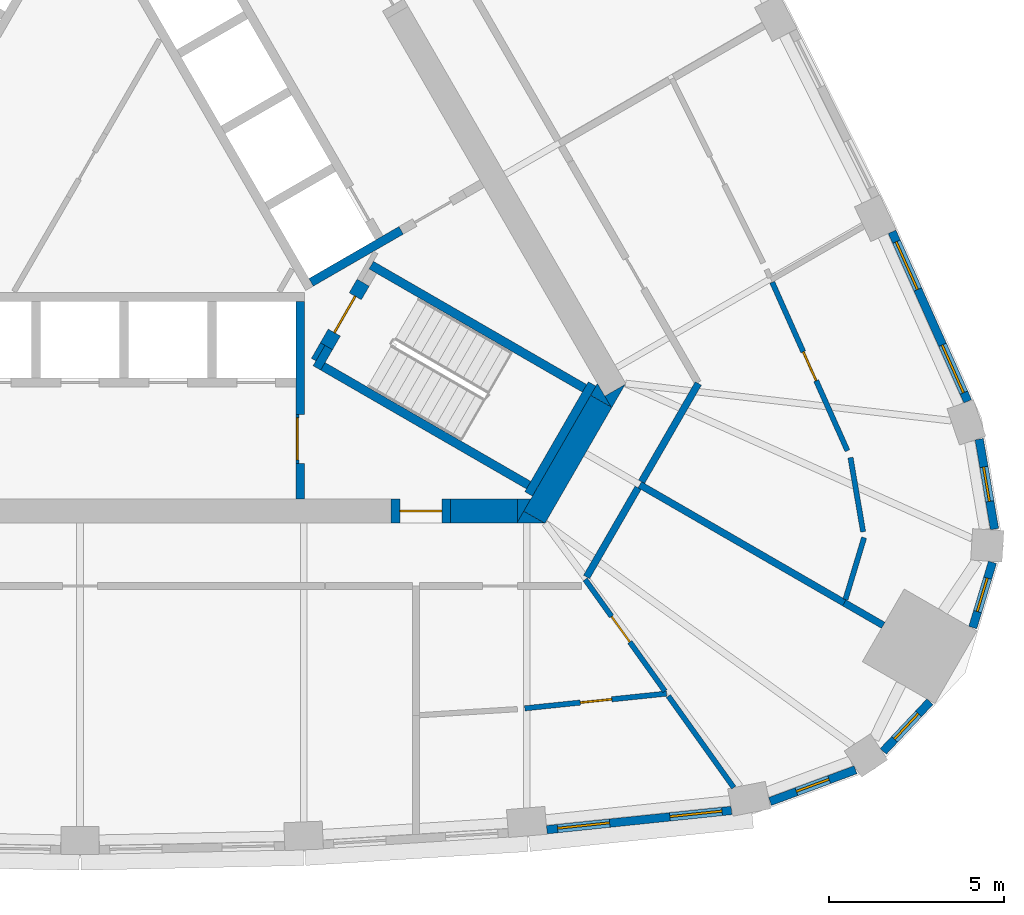
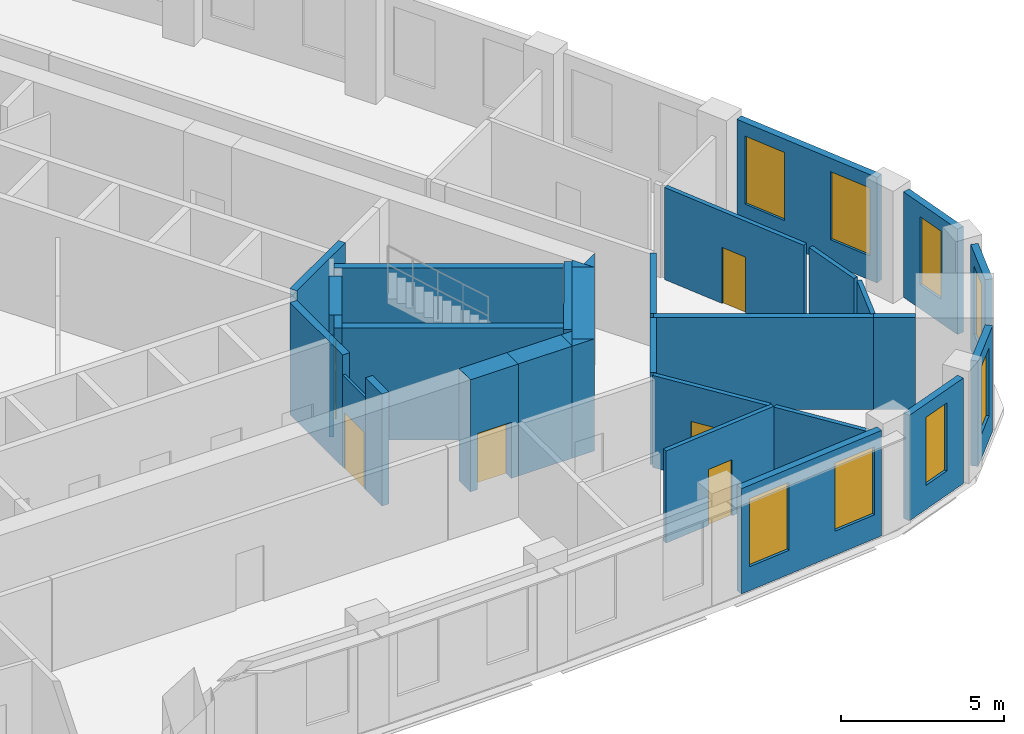
# One storey, part 6 of 10: 33 walls, 8 windows, 6 doors, 14 openings.
"""IFC4 building model written with IfcOpenShell, lengths in metres."""

from ifc_helpers import new_model, si_unit, direction, frame, frame_2d, origin, place, context, subcontext, project, spatial, polyline, rectangle, outline, extrude, material, layer, layer_set, type_object, element, fill, save


model = new_model("IFC4")

# Units and contexts
model_context = context("Model", 3, precision=1e-05, world=origin(), true_north=direction((0.0, 1.0)))
body_context = subcontext(model_context, "Body", "Model", "MODEL_VIEW")
ifc_project = project(units=[si_unit("LENGTHUNIT", "METRE"), si_unit("AREAUNIT", "SQUARE_METRE"), si_unit("VOLUMEUNIT", "CUBIC_METRE"), si_unit("PLANEANGLEUNIT", "RADIAN"), si_unit("MASSUNIT", "GRAM", prefix="KILO")], contexts=[model_context])

# Site, building, storey
site_placement = place(None, origin())
site = spatial("IfcSite", under=ifc_project, at=site_placement, CompositionType="ELEMENT")
building_placement = place(site_placement, origin())
building = spatial("IfcBuilding", under=site, at=building_placement, Name="Mestral Congress Tower", CompositionType="ELEMENT")
storey_placement = place(building_placement, frame((0.0, 0.0, 239.39990234375)))
storey = spatial("IfcBuildingStorey", under=building, at=storey_placement, Name="L56", CompositionType="ELEMENT", Elevation=239.39990234375)

# Wall
ifc_material_1 = material(Name="Fire-rated board partition")
ifc_layer_1 = layer(ifc_material_1, 0.14990234375)
ifc_layer_set_1 = layer_set([ifc_layer_1], Name="Fire-rated board partition")
wall_type_1 = type_object("IfcWallType", Name="Core partition 150", PredefinedType="PARTITIONING", material=ifc_layer_set_1)
wall_1_placement = place(storey_placement, frame((6.94482421875, -5.22216796875, 0.0), z_axis=(0.0, 0.0, 1.0), x_axis=(-0.499818422106, -0.866130212453, 0.0)))
element("IfcWall", 1, at=wall_1_placement, inside=storey, type_object=wall_type_1, Name="L56 core wall", PredefinedType="PARTITIONING", context=body_context, shape_type="SweptSolid", body=[
    extrude(rectangle(XDim=0.513916015625, YDim=0.14990234375, at=frame_2d((0.2568359375, 0.0))), origin(), (0.0, 0.0, 1.0), 3.4501953125),
])

# Wall, opening, door
ifc_layer_2 = layer(ifc_material_1, 0.090087890625)
ifc_layer_set_2 = layer_set([ifc_layer_2], Name="Fire-rated board partition")
wall_type_2 = type_object("IfcWallType", Name="Core partition 150 door-wall 90", PredefinedType="PARTITIONING", material=ifc_layer_set_2)
wall_2_placement = place(storey_placement, frame((6.219970703125, -7.23681640625, 0.0), z_axis=(0.0, 0.0, 1.0), x_axis=(0.0, -1.0, 0.0)))
wall_2 = element("IfcWall", 2, at=wall_2_placement, inside=storey, type_object=wall_type_2, Name="L56 door wall", PredefinedType="PARTITIONING", context=body_context, shape_type="SweptSolid", body=[
    extrude(rectangle(XDim=1.400146484375, YDim=0.090087890625, at=frame_2d((0.7001953125, 0.0))), origin(), (0.0, 0.0, 1.0), 3.4501953125),
])
opening_1_placement = place(wall_2_placement, frame((0.10009765625, 0.0, 0.0)))
opening_1 = element("IfcOpeningElement", 3, at=opening_1_placement, cuts=wall_2, Name="Opening LB0-WL1", PredefinedType="OPENING", context=body_context, shape_type="SweptSolid", body=[
    extrude(rectangle(XDim=1.199951171875, YDim=2.10009765625, at=frame_2d((0.60009765625, 1.050048828125))), frame((0.0, 0.054931640625, 0.0), z_axis=(0.0, -1.0, 0.0), x_axis=(1.0, 0.0, 0.0)), (0.0, 0.0, 1.0), 0.110107421875),
])
ifc_material_2 = material(Name="Fire-rated steel door set", Category="steel")
door_type_1 = type_object("IfcDoorType", Name="Core door LB 1200x2100", OperationType="SINGLE_SWING_LEFT", PredefinedType="DOOR", material=ifc_material_2)
door_1_placement = place(opening_1_placement, origin())
door_1 = element("IfcDoor", 4, at=door_1_placement, inside=storey, type_object=door_type_1, Name="Door LB0-WL1", OperationType="SINGLE_SWING_LEFT", OverallHeight=2.10009765625, OverallWidth=1.199951171875, PredefinedType="DOOR", context=body_context, shape_type="SweptSolid", body=[
    extrude(rectangle(XDim=1.199951171875, YDim=2.10009765625, at=frame_2d((0.60009765625, 1.050048828125))), frame((0.0, 0.02490234375, 0.0), z_axis=(0.0, -1.0, 0.0), x_axis=(1.0, 0.0, 0.0)), (0.0, 0.0, 1.0), 0.050048828125),
])
fill(opening_1, door_1)

# Walls
ifc_material_3 = material(Name="Concrete C60/75", Category="concrete")
ifc_layer_3 = layer(ifc_material_3, 0.699951171875)
ifc_layer_set_3 = layer_set([ifc_layer_3], Name="Concrete C60/75")
wall_type_3 = type_object("IfcWallType", Name="Core wall RC 700", PredefinedType="SOLIDWALL", material=ifc_layer_set_3)
placement = place(storey_placement, origin())
element("IfcWall", 5, at=placement, inside=storey, type_object=wall_type_3, Name="L56 core wall", PredefinedType="SOLIDWALL", context=body_context, shape_type="SweptSolid", body=[
    extrude(outline(polyline([(15.213134765625, -7.050048828125), (15.019287109375, -6.714111328125), (15.60107421875, -6.3779296875), (15.213134765625, -7.050048828125)])), origin(), (0.0, 0.0, 1.0), 4.2001953125),
])
wall_4_placement = place(storey_placement, frame((13.002685546875, -10.1787109375, 0.0), z_axis=(0.0, 0.0, 1.0), x_axis=(0.499972675833, 0.866041178825, 0.0)))
element("IfcWall", 6, at=wall_4_placement, inside=storey, type_object=wall_type_3, Name="L56 core wall", PredefinedType="SOLIDWALL", context=body_context, shape_type="SweptSolid", body=[
    extrude(rectangle(XDim=3.828857421875, YDim=0.699951171875, at=frame_2d((1.91455078125, 0.0))), origin(), (0.0, 0.0, 1.0), 4.2001953125),
])
element("IfcWall", 7, at=placement, inside=storey, type_object=wall_type_3, Name="L56 core wall", PredefinedType="SOLIDWALL", context=body_context, shape_type="SweptSolid", body=[
    extrude(outline(polyline([(12.49951171875, -10.35009765625), (12.698486328125, -10.00537109375), (13.295654296875, -10.35009765625), (12.49951171875, -10.35009765625)])), origin(), (0.0, 0.0, 1.0), 4.2001953125),
])
element("IfcWall", 8, at=placement, inside=storey, type_object=wall_type_3, Name="L56 core wall", PredefinedType="SOLIDWALL", context=body_context, shape_type="SweptSolid", body=[
    extrude(outline(polyline([(14.80908203125, -6.35009765625), (15.197265625, -7.022216796875), (14.614990234375, -6.68603515625), (14.80908203125, -6.35009765625)])), origin(), (0.0, 0.0, 1.0), 4.2001953125),
])
wall_7_placement = place(storey_placement, frame((10.6044921875, -10.0, 0.0), z_axis=(0.0, 0.0, 1.0), x_axis=(1.0, 0.0, 0.0)))
element("IfcWall", 9, at=wall_7_placement, inside=storey, type_object=wall_type_3, Name="L56 core wall", PredefinedType="SOLIDWALL", context=body_context, shape_type="SweptSolid", body=[
    extrude(rectangle(XDim=1.909423828125, YDim=0.699951171875, at=frame_2d((0.95458984375, 0.0))), origin(), (0.0, 0.0, 1.0), 4.2001953125),
])
element("IfcWall", 10, at=placement, inside=storey, type_object=wall_type_3, Name="L56 core wall", PredefinedType="SOLIDWALL", context=body_context, shape_type="SweptSolid", body=[
    extrude(outline(polyline([(12.90380859375, -9.64990234375), (12.515869140625, -10.322021484375), (12.515869140625, -9.64990234375), (12.90380859375, -9.64990234375)])), origin(), (0.0, 0.0, 1.0), 4.2001953125),
])

# Wall, opening, door
wall_9_placement = place(storey_placement, frame((10.6044921875, -10.0, 0.0), z_axis=(0.0, 0.0, 1.0), x_axis=(-1.0, 0.0, 0.0)))
wall_9 = element("IfcWall", 11, at=wall_9_placement, inside=storey, type_object=wall_type_3, Name="L56 door wall", PredefinedType="SOLIDWALL", context=body_context, shape_type="SweptSolid", body=[
    extrude(rectangle(XDim=1.699951171875, YDim=0.699951171875, at=frame_2d((0.85009765625, 0.0))), origin(), (0.0, 0.0, 1.0), 4.2001953125),
])
opening_2_placement = place(wall_9_placement, frame((0.25, 0.0, 0.0)))
opening_2 = element("IfcOpeningElement", 12, at=opening_2_placement, cuts=wall_9, Name="Opening XD1", PredefinedType="OPENING", context=body_context, shape_type="SweptSolid", body=[
    extrude(rectangle(XDim=1.199951171875, YDim=2.10009765625, at=frame_2d((0.60009765625, 1.050048828125))), frame((0.0, 0.35986328125, 0.0), z_axis=(0.0, -1.0, 0.0), x_axis=(1.0, 0.0, 0.0)), (0.0, 0.0, 1.0), 0.719970703125),
])
door_type_2 = type_object("IfcDoorType", Name="Core door XD 1200x2100", OperationType="SINGLE_SWING_LEFT", PredefinedType="DOOR", material=ifc_material_2)
door_2_placement = place(opening_2_placement, origin())
door_2 = element("IfcDoor", 13, at=door_2_placement, inside=storey, type_object=door_type_2, Name="Door XD1", OperationType="SINGLE_SWING_LEFT", OverallHeight=2.10009765625, OverallWidth=1.199951171875, PredefinedType="DOOR", context=body_context, shape_type="SweptSolid", body=[
    extrude(rectangle(XDim=1.199951171875, YDim=2.10009765625, at=frame_2d((0.60009765625, 1.050048828125))), frame((0.0, 0.02490234375, 0.0), z_axis=(0.0, -1.0, 0.0), x_axis=(1.0, 0.0, 0.0)), (0.0, 0.0, 1.0), 0.050048828125),
])
fill(opening_2, door_2)

# Wall, openings, windows
ifc_material_4 = material(Name="Precast concrete C40/50 with limestone facing", Category="masonry")
ifc_layer_4 = layer(ifc_material_4, 0.239990234375)
ifc_layer_set_4 = layer_set([ifc_layer_4], Name="Precast concrete C40/50 with limestone facing")
wall_type_4 = type_object("IfcWallType", Name="Facade stone wall 240", PredefinedType="SOLIDWALL", material=ifc_layer_set_4)
wall_10_placement = place(storey_placement, frame((13.362060546875, -19.12109375, 0.0), z_axis=(0.0, 0.0, 1.0), x_axis=(0.994621961215, 0.103571976272, 0.0)))
wall_10 = element("IfcWall", 14, at=wall_10_placement, inside=storey, type_object=wall_type_4, Name="Facade wall F0-05", PredefinedType="SOLIDWALL", context=body_context, shape_type="SweptSolid", body=[
    extrude(rectangle(XDim=5.310791015625, YDim=0.239990234375, at=frame_2d((2.6552734375, 0.0))), origin(), (0.0, 0.0, 1.0), 3.9501953125),
])
opening_3_placement = place(wall_10_placement, frame((0.306396484375, 0.0, 0.89990234375)))
opening_3 = element("IfcOpeningElement", 15, at=opening_3_placement, cuts=wall_10, Name="Opening W4", PredefinedType="OPENING", context=body_context, shape_type="SweptSolid", body=[
    extrude(rectangle(XDim=1.5, YDim=2.550048828125, at=frame_2d((0.75, 1.27490234375))), frame((0.0, 0.1298828125, 0.0), z_axis=(0.0, -1.0, 0.0), x_axis=(1.0, 0.0, 0.0)), (0.0, 0.0, 1.0), 0.260009765625),
])
opening_4_placement = place(wall_10_placement, frame((3.539306640625, 0.0, 0.89990234375)))
opening_4 = element("IfcOpeningElement", 16, at=opening_4_placement, cuts=wall_10, Name="Opening W4", PredefinedType="OPENING", context=body_context, shape_type="SweptSolid", body=[
    extrude(rectangle(XDim=1.5, YDim=2.550048828125, at=frame_2d((0.75, 1.27490234375))), frame((0.0, 0.1298828125, 0.0), z_axis=(0.0, -1.0, 0.0), x_axis=(1.0, 0.0, 0.0)), (0.0, 0.0, 1.0), 0.260009765625),
])
ifc_material_5 = material(Name="Clear low-emissivity double glazing", Category="glass")
window_type_1 = type_object("IfcWindowType", Name="Facade punched window 1500 x 2550 sill 900", PartitioningType="SINGLE_PANEL", PredefinedType="WINDOW", material=ifc_material_5)
window_1_placement = place(opening_3_placement, origin())
window_1 = element("IfcWindow", 17, at=window_1_placement, inside=storey, type_object=window_type_1, Name="Window F0-05a", OverallHeight=2.550048828125, OverallWidth=1.5, PartitioningType="SINGLE_PANEL", PredefinedType="WINDOW", context=body_context, shape_type="SweptSolid", body=[
    extrude(rectangle(XDim=1.5, YDim=2.550048828125, at=frame_2d((0.75, 1.27490234375))), frame((0.0, 0.0400390625, 0.0), z_axis=(0.0, -1.0, 0.0), x_axis=(1.0, 0.0, 0.0)), (0.0, 0.0, 1.0), 0.06005859375),
])
fill(opening_3, window_1)
window_2_placement = place(opening_4_placement, origin())
window_2 = element("IfcWindow", 18, at=window_2_placement, inside=storey, type_object=window_type_1, Name="Window F0-05b", OverallHeight=2.550048828125, OverallWidth=1.5, PartitioningType="SINGLE_PANEL", PredefinedType="WINDOW", context=body_context, shape_type="SweptSolid", body=[
    extrude(rectangle(XDim=1.5, YDim=2.550048828125, at=frame_2d((0.75, 1.27490234375))), frame((0.0, 0.0400390625, 0.0), z_axis=(0.0, -1.0, 0.0), x_axis=(1.0, 0.0, 0.0)), (0.0, 0.0, 1.0), 0.06005859375),
])
fill(opening_4, window_2)

# Wall, opening, window
wall_11_placement = place(storey_placement, frame((19.747802734375, -18.31396484375, 0.0), z_axis=(0.0, 0.0, 1.0), x_axis=(0.937569171184, 0.347798863203, 0.0)))
wall_11 = element("IfcWall", 19, at=wall_11_placement, inside=storey, type_object=wall_type_4, Name="Facade wall K0-0", PredefinedType="SOLIDWALL", context=body_context, shape_type="SweptSolid", body=[
    extrude(rectangle(XDim=2.609130859375, YDim=0.239990234375, at=frame_2d((1.3046875, 0.0))), origin(), (0.0, 0.0, 1.0), 3.9501953125),
])
opening_5_placement = place(wall_11_placement, frame((0.8046875, 0.0, 0.89990234375)))
opening_5 = element("IfcOpeningElement", 20, at=opening_5_placement, cuts=wall_11, Name="Opening W5", PredefinedType="OPENING", context=body_context, shape_type="SweptSolid", body=[
    extrude(rectangle(XDim=1.0, YDim=2.550048828125, at=frame_2d((0.5, 1.27490234375))), frame((0.0, 0.1298828125, 0.0), z_axis=(0.0, -1.0, 0.0), x_axis=(1.0, 0.0, 0.0)), (0.0, 0.0, 1.0), 0.260009765625),
])
window_type_2 = type_object("IfcWindowType", Name="Facade punched window 1000 x 2550 sill 900", PartitioningType="SINGLE_PANEL", PredefinedType="WINDOW", material=ifc_material_5)
window_3_placement = place(opening_5_placement, origin())
window_3 = element("IfcWindow", 21, at=window_3_placement, inside=storey, type_object=window_type_2, Name="Window K0-0", OverallHeight=2.550048828125, OverallWidth=1.0, PartitioningType="SINGLE_PANEL", PredefinedType="WINDOW", context=body_context, shape_type="SweptSolid", body=[
    extrude(rectangle(XDim=1.0, YDim=2.550048828125, at=frame_2d((0.5, 1.27490234375))), frame((0.0, 0.0400390625, 0.0), z_axis=(0.0, -1.0, 0.0), x_axis=(1.0, 0.0, 0.0)), (0.0, 0.0, 1.0), 0.06005859375),
])
fill(opening_5, window_3)

wall_12_placement = place(storey_placement, frame((22.989013671875, -16.87890625, 0.0), z_axis=(0.0, 0.0, 1.0), x_axis=(0.684770274166, 0.728758994194, 0.0)))
wall_12 = element("IfcWall", 22, at=wall_12_placement, inside=storey, type_object=wall_type_4, Name="Facade wall K0-1", PredefinedType="SOLIDWALL", context=body_context, shape_type="SweptSolid", body=[
    extrude(rectangle(XDim=1.947998046875, YDim=0.239990234375, at=frame_2d((0.97412109375, 0.0))), origin(), (0.0, 0.0, 1.0), 3.9501953125),
])
opening_6_placement = place(wall_12_placement, frame((0.47412109375, 0.0, 0.89990234375)))
opening_6 = element("IfcOpeningElement", 23, at=opening_6_placement, cuts=wall_12, Name="Opening W5", PredefinedType="OPENING", context=body_context, shape_type="SweptSolid", body=[
    extrude(rectangle(XDim=1.0, YDim=2.550048828125, at=frame_2d((0.5, 1.27490234375))), frame((0.0, 0.1298828125, 0.0), z_axis=(0.0, -1.0, 0.0), x_axis=(1.0, 0.0, 0.0)), (0.0, 0.0, 1.0), 0.260009765625),
])
window_4_placement = place(opening_6_placement, origin())
window_4 = element("IfcWindow", 24, at=window_4_placement, inside=storey, type_object=window_type_2, Name="Window K0-1", OverallHeight=2.550048828125, OverallWidth=1.0, PartitioningType="SINGLE_PANEL", PredefinedType="WINDOW", context=body_context, shape_type="SweptSolid", body=[
    extrude(rectangle(XDim=1.0, YDim=2.550048828125, at=frame_2d((0.5, 1.27490234375))), frame((0.0, 0.0400390625, 0.0), z_axis=(0.0, -1.0, 0.0), x_axis=(1.0, 0.0, 0.0)), (0.0, 0.0, 1.0), 0.06005859375),
])
fill(opening_6, window_4)

wall_13_placement = place(storey_placement, frame((25.5498046875, -13.334716796875, 0.0), z_axis=(0.0, 0.0, 1.0), x_axis=(0.288727209095, 0.957411405159, 0.0)))
wall_13 = element("IfcWall", 25, at=wall_13_placement, inside=storey, type_object=wall_type_4, Name="Facade wall K0-2", PredefinedType="SOLIDWALL", context=body_context, shape_type="SweptSolid", body=[
    extrude(rectangle(XDim=1.9482421875, YDim=0.239990234375, at=frame_2d((0.97412109375, 0.0))), origin(), (0.0, 0.0, 1.0), 3.9501953125),
])
opening_7_placement = place(wall_13_placement, frame((0.47412109375, 0.0, 0.89990234375)))
opening_7 = element("IfcOpeningElement", 26, at=opening_7_placement, cuts=wall_13, Name="Opening W5", PredefinedType="OPENING", context=body_context, shape_type="SweptSolid", body=[
    extrude(rectangle(XDim=1.0, YDim=2.550048828125, at=frame_2d((0.5, 1.27490234375))), frame((0.0, 0.1298828125, 0.0), z_axis=(0.0, -1.0, 0.0), x_axis=(1.0, 0.0, 0.0)), (0.0, 0.0, 1.0), 0.260009765625),
])
window_5_placement = place(opening_7_placement, origin())
window_5 = element("IfcWindow", 27, at=window_5_placement, inside=storey, type_object=window_type_2, Name="Window K0-2", OverallHeight=2.550048828125, OverallWidth=1.0, PartitioningType="SINGLE_PANEL", PredefinedType="WINDOW", context=body_context, shape_type="SweptSolid", body=[
    extrude(rectangle(XDim=1.0, YDim=2.550048828125, at=frame_2d((0.5, 1.27490234375))), frame((0.0, 0.0400390625, 0.0), z_axis=(0.0, -1.0, 0.0), x_axis=(1.0, 0.0, 0.0)), (0.0, 0.0, 1.0), 0.06005859375),
])
fill(opening_7, window_5)

wall_14_placement = place(storey_placement, frame((26.171630859375, -10.517333984375, 0.0), z_axis=(0.0, 0.0, 1.0), x_axis=(-0.167660055546, 0.985844869021, 0.0)))
wall_14 = element("IfcWall", 28, at=wall_14_placement, inside=storey, type_object=wall_type_4, Name="Facade wall K0-3", PredefinedType="SOLIDWALL", context=body_context, shape_type="SweptSolid", body=[
    extrude(rectangle(XDim=2.609375, YDim=0.239990234375, at=frame_2d((1.3046875, 0.0))), origin(), (0.0, 0.0, 1.0), 3.9501953125),
])
opening_8_placement = place(wall_14_placement, frame((0.8046875, 0.0, 0.89990234375)))
opening_8 = element("IfcOpeningElement", 29, at=opening_8_placement, cuts=wall_14, Name="Opening W5", PredefinedType="OPENING", context=body_context, shape_type="SweptSolid", body=[
    extrude(rectangle(XDim=1.0, YDim=2.550048828125, at=frame_2d((0.5, 1.27490234375))), frame((0.0, 0.1298828125, 0.0), z_axis=(0.0, -1.0, 0.0), x_axis=(1.0, 0.0, 0.0)), (0.0, 0.0, 1.0), 0.260009765625),
])
window_6_placement = place(opening_8_placement, origin())
window_6 = element("IfcWindow", 30, at=window_6_placement, inside=storey, type_object=window_type_2, Name="Window K0-3", OverallHeight=2.550048828125, OverallWidth=1.0, PartitioningType="SINGLE_PANEL", PredefinedType="WINDOW", context=body_context, shape_type="SweptSolid", body=[
    extrude(rectangle(XDim=1.0, YDim=2.550048828125, at=frame_2d((0.5, 1.27490234375))), frame((0.0, 0.0400390625, 0.0), z_axis=(0.0, -1.0, 0.0), x_axis=(1.0, 0.0, 0.0)), (0.0, 0.0, 1.0), 0.06005859375),
])
fill(opening_8, window_6)

# Wall, openings, windows
wall_15_placement = place(storey_placement, frame((25.405029296875, -6.86083984375, 0.0), z_axis=(0.0, 0.0, 1.0), x_axis=(-0.407579651789, 0.913169659728, 0.0)))
wall_15 = element("IfcWall", 31, at=wall_15_placement, inside=storey, type_object=wall_type_4, Name="Facade wall F1-00", PredefinedType="SOLIDWALL", context=body_context, shape_type="SweptSolid", body=[
    extrude(rectangle(XDim=5.310791015625, YDim=0.239990234375, at=frame_2d((2.6552734375, 0.0))), origin(), (0.0, 0.0, 1.0), 3.9501953125),
])
opening_9_placement = place(wall_15_placement, frame((0.271484375, 0.0, 0.89990234375)))
opening_9 = element("IfcOpeningElement", 32, at=opening_9_placement, cuts=wall_15, Name="Opening W4", PredefinedType="OPENING", context=body_context, shape_type="SweptSolid", body=[
    extrude(rectangle(XDim=1.5, YDim=2.550048828125, at=frame_2d((0.75, 1.27490234375))), frame((0.0, 0.1298828125, 0.0), z_axis=(0.0, -1.0, 0.0), x_axis=(1.0, 0.0, 0.0)), (0.0, 0.0, 1.0), 0.260009765625),
])
opening_10_placement = place(wall_15_placement, frame((3.50439453125, 0.0, 0.89990234375)))
opening_10 = element("IfcOpeningElement", 33, at=opening_10_placement, cuts=wall_15, Name="Opening W4", PredefinedType="OPENING", context=body_context, shape_type="SweptSolid", body=[
    extrude(rectangle(XDim=1.5, YDim=2.550048828125, at=frame_2d((0.75, 1.27490234375))), frame((0.0, 0.1298828125, 0.0), z_axis=(0.0, -1.0, 0.0), x_axis=(1.0, 0.0, 0.0)), (0.0, 0.0, 1.0), 0.260009765625),
])
window_7_placement = place(opening_9_placement, origin())
window_7 = element("IfcWindow", 34, at=window_7_placement, inside=storey, type_object=window_type_1, Name="Window F1-00a", OverallHeight=2.550048828125, OverallWidth=1.5, PartitioningType="SINGLE_PANEL", PredefinedType="WINDOW", context=body_context, shape_type="SweptSolid", body=[
    extrude(rectangle(XDim=1.5, YDim=2.550048828125, at=frame_2d((0.75, 1.27490234375))), frame((0.0, 0.0400390625, 0.0), z_axis=(0.0, -1.0, 0.0), x_axis=(1.0, 0.0, 0.0)), (0.0, 0.0, 1.0), 0.06005859375),
])
fill(opening_9, window_7)
window_8_placement = place(opening_10_placement, origin())
window_8 = element("IfcWindow", 35, at=window_8_placement, inside=storey, type_object=window_type_1, Name="Window F1-00b", OverallHeight=2.550048828125, OverallWidth=1.5, PartitioningType="SINGLE_PANEL", PredefinedType="WINDOW", context=body_context, shape_type="SweptSolid", body=[
    extrude(rectangle(XDim=1.5, YDim=2.550048828125, at=frame_2d((0.75, 1.27490234375))), frame((0.0, 0.0400390625, 0.0), z_axis=(0.0, -1.0, 0.0), x_axis=(1.0, 0.0, 0.0)), (0.0, 0.0, 1.0), 0.06005859375),
])
fill(opening_10, window_8)

# Wall, opening, door
ifc_material_6 = material(Name="Plasterboard partition on steel studs", Category="steel")
ifc_layer_5 = layer(ifc_material_6, 0.14990234375)
ifc_layer_set_5 = layer_set([ifc_layer_5], Name="Plasterboard partition on steel studs")
wall_type_5 = type_object("IfcWallType", Name="Office partition 150", PredefinedType="PARTITIONING", material=ifc_layer_set_5)
wall_16_placement = place(storey_placement, frame((16.788330078125, -15.225341796875, 0.0), z_axis=(0.0, 0.0, 1.0), x_axis=(-0.994622518406, -0.103566625322, 0.0)))
wall_16 = element("IfcWall", 36, at=wall_16_placement, inside=storey, type_object=wall_type_5, Name="Partition", PredefinedType="PARTITIONING", context=body_context, shape_type="SweptSolid", body=[
    extrude(rectangle(XDim=4.08056640625, YDim=0.14990234375, at=frame_2d((2.040283203125, 0.0))), origin(), (0.0, 0.0, 1.0), 3.4501953125),
])
opening_11_placement = place(wall_16_placement, frame((1.58056640625, 0.0, 0.0)))
opening_11 = element("IfcOpeningElement", 37, at=opening_11_placement, cuts=wall_16, Name="Opening O09-002", PredefinedType="OPENING", context=body_context, shape_type="SweptSolid", body=[
    extrude(rectangle(XDim=0.89990234375, YDim=2.10009765625, at=frame_2d((0.449951171875, 1.050048828125))), frame((0.0, 0.0849609375, 0.0), z_axis=(0.0, -1.0, 0.0), x_axis=(1.0, 0.0, 0.0)), (0.0, 0.0, 1.0), 0.169921875),
])
ifc_material_7 = material(Name="Timber door set", Category="wood")
door_type_3 = type_object("IfcDoorType", Name="Office door 900x2100", OperationType="SINGLE_SWING_LEFT", PredefinedType="DOOR", material=ifc_material_7)
door_3_placement = place(opening_11_placement, origin())
door_3 = element("IfcDoor", 38, at=door_3_placement, inside=storey, type_object=door_type_3, Name="Door O09-002", OperationType="SINGLE_SWING_LEFT", OverallHeight=2.10009765625, OverallWidth=0.89990234375, PredefinedType="DOOR", context=body_context, shape_type="SweptSolid", body=[
    extrude(rectangle(XDim=0.89990234375, YDim=2.10009765625, at=frame_2d((0.449951171875, 1.050048828125))), frame((0.0, 0.02490234375, 0.0), z_axis=(0.0, -1.0, 0.0), x_axis=(1.0, 0.0, 0.0)), (0.0, 0.0, 1.0), 0.050048828125),
])
fill(opening_11, door_3)

# Wall
wall_17_placement = place(storey_placement, frame((16.83837890625, -15.29541015625, 0.0), z_axis=(0.0, 0.0, 1.0), x_axis=(0.581015803238, -0.813892275666, 0.0)))
element("IfcWall", 39, at=wall_17_placement, inside=storey, type_object=wall_type_5, Name="Partition", PredefinedType="PARTITIONING", context=body_context, shape_type="SweptSolid", body=[
    extrude(rectangle(XDim=3.219482421875, YDim=0.14990234375, at=frame_2d((1.60986328125, 0.0))), origin(), (0.0, 0.0, 1.0), 3.4501953125),
])

# Wall, opening, door
wall_18_placement = place(storey_placement, frame((14.45703125, -11.959716796875, 0.0), z_axis=(0.0, 0.0, 1.0), x_axis=(0.581049944662, -0.81386790194, 0.0)))
wall_18 = element("IfcWall", 40, at=wall_18_placement, inside=storey, type_object=wall_type_5, Name="Partition", PredefinedType="PARTITIONING", context=body_context, shape_type="SweptSolid", body=[
    extrude(rectangle(XDim=3.926025390625, YDim=0.14990234375, at=frame_2d((1.962890625, 0.0))), origin(), (0.0, 0.0, 1.0), 3.4501953125),
])
opening_12_placement = place(wall_18_placement, frame((1.300048828125, 0.0, 0.0)))
opening_12 = element("IfcOpeningElement", 41, at=opening_12_placement, cuts=wall_18, Name="Opening O09-004", PredefinedType="OPENING", context=body_context, shape_type="SweptSolid", body=[
    extrude(rectangle(XDim=0.89990234375, YDim=2.10009765625, at=frame_2d((0.449951171875, 1.050048828125))), frame((0.0, 0.0849609375, 0.0), z_axis=(0.0, -1.0, 0.0), x_axis=(1.0, 0.0, 0.0)), (0.0, 0.0, 1.0), 0.169921875),
])
door_4_placement = place(opening_12_placement, origin())
door_4 = element("IfcDoor", 42, at=door_4_placement, inside=storey, type_object=door_type_3, Name="Door O09-004", OperationType="SINGLE_SWING_LEFT", OverallHeight=2.10009765625, OverallWidth=0.89990234375, PredefinedType="DOOR", context=body_context, shape_type="SweptSolid", body=[
    extrude(rectangle(XDim=0.89990234375, YDim=2.10009765625, at=frame_2d((0.449951171875, 1.050048828125))), frame((0.0, 0.02490234375, 0.0), z_axis=(0.0, -1.0, 0.0), x_axis=(1.0, 0.0, 0.0)), (0.0, 0.0, 1.0), 0.050048828125),
])
fill(opening_12, door_4)

# Walls
wall_19_placement = place(storey_placement, frame((21.90625, -12.531982421875, 0.0), z_axis=(0.0, 0.0, 1.0), x_axis=(0.288789848591, 0.957392512688, 0.0)))
element("IfcWall", 43, at=wall_19_placement, inside=storey, type_object=wall_type_5, Name="Partition", PredefinedType="PARTITIONING", context=body_context, shape_type="SweptSolid", body=[
    extrude(rectangle(XDim=1.84814453125, YDim=0.14990234375, at=frame_2d((0.924072265625, 0.0))), origin(), (0.0, 0.0, 1.0), 3.4501953125),
])
wall_20_placement = place(storey_placement, frame((22.41162109375, -10.5966796875, 0.0), z_axis=(0.0, 0.0, 1.0), x_axis=(-0.167612004459, 0.985853039738, 0.0)))
element("IfcWall", 44, at=wall_20_placement, inside=storey, type_object=wall_type_5, Name="Partition", PredefinedType="PARTITIONING", context=body_context, shape_type="SweptSolid", body=[
    extrude(rectangle(XDim=2.15576171875, YDim=0.14990234375, at=frame_2d((1.077880859375, 0.0))), origin(), (0.0, 0.0, 1.0), 3.4501953125),
])

# Wall, opening, door
wall_21_placement = place(storey_placement, frame((19.81103515625, -3.455078125, 0.0), z_axis=(0.0, 0.0, 1.0), x_axis=(0.407605393886, -0.913158169692, 0.0)))
wall_21 = element("IfcWall", 45, at=wall_21_placement, inside=storey, type_object=wall_type_5, Name="Partition", PredefinedType="PARTITIONING", context=body_context, shape_type="SweptSolid", body=[
    extrude(rectangle(XDim=5.279296875, YDim=0.14990234375, at=frame_2d((2.6396484375, 0.0))), origin(), (0.0, 0.0, 1.0), 3.4501953125),
])
opening_13_placement = place(wall_21_placement, frame((2.179443359375, 0.0, 0.0)))
opening_13 = element("IfcOpeningElement", 46, at=opening_13_placement, cuts=wall_21, Name="Opening O09-005", PredefinedType="OPENING", context=body_context, shape_type="SweptSolid", body=[
    extrude(rectangle(XDim=0.89990234375, YDim=2.10009765625, at=frame_2d((0.449951171875, 1.050048828125))), frame((0.0, 0.0849609375, 0.0), z_axis=(0.0, -1.0, 0.0), x_axis=(1.0, 0.0, 0.0)), (0.0, 0.0, 1.0), 0.169921875),
])
door_5_placement = place(opening_13_placement, origin())
door_5 = element("IfcDoor", 47, at=door_5_placement, inside=storey, type_object=door_type_3, Name="Door O09-005", OperationType="SINGLE_SWING_LEFT", OverallHeight=2.10009765625, OverallWidth=0.89990234375, PredefinedType="DOOR", context=body_context, shape_type="SweptSolid", body=[
    extrude(rectangle(XDim=0.89990234375, YDim=2.10009765625, at=frame_2d((0.449951171875, 1.050048828125))), frame((0.0, 0.02490234375, 0.0), z_axis=(0.0, -1.0, 0.0), x_axis=(1.0, 0.0, 0.0)), (0.0, 0.0, 1.0), 0.050048828125),
])
fill(opening_13, door_5)

# Walls
ifc_material_8 = material(Name="Dense masonry wall, plastered", Category="masonry")
ifc_layer_6 = layer(ifc_material_8, 0.199951171875)
ifc_layer_set_6 = layer_set([ifc_layer_6], Name="Dense masonry wall, plastered")
wall_type_6 = type_object("IfcWallType", Name="Office tenancy wall 200", PredefinedType="PARTITIONING", material=ifc_layer_set_6)
wall_22_placement = place(storey_placement, frame((21.873046875, -12.62841796875, 0.0), z_axis=(0.0, 0.0, 1.0), x_axis=(0.866052988967, -0.499952218018, 0.0)))
element("IfcWall", 48, at=wall_22_placement, inside=storey, type_object=wall_type_6, Name="Tenancy wall", PredefinedType="PARTITIONING", context=body_context, shape_type="SweptSolid", body=[
    extrude(rectangle(XDim=1.287841796875, YDim=0.199951171875, at=frame_2d((0.64404296875, 0.0))), origin(), (0.0, 0.0, 1.0), 3.4501953125),
])
wall_23_placement = place(storey_placement, frame((16.021484375, -9.25, 0.0), z_axis=(0.0, 0.0, 1.0), x_axis=(0.86602692059, -0.499997372806, 0.0)))
element("IfcWall", 49, at=wall_23_placement, inside=storey, type_object=wall_type_6, Name="Tenancy wall", PredefinedType="PARTITIONING", context=body_context, shape_type="SweptSolid", body=[
    extrude(rectangle(XDim=6.7646484375, YDim=0.199951171875, at=frame_2d((3.38232421875, 0.0))), origin(), (0.0, 0.0, 1.0), 3.4501953125),
])
wall_24_placement = place(storey_placement, frame((14.498291015625, -11.88818359375, 0.0), z_axis=(0.0, 0.0, 1.0), x_axis=(0.500006981563, 0.86602137294, 0.0)))
element("IfcWall", 50, at=wall_24_placement, inside=storey, type_object=wall_type_6, Name="Tenancy wall", PredefinedType="PARTITIONING", context=body_context, shape_type="SweptSolid", body=[
    extrude(rectangle(XDim=2.9462890625, YDim=0.199951171875, at=frame_2d((1.47314453125, 0.0))), origin(), (0.0, 0.0, 1.0), 3.4501953125),
])
wall_25_placement = place(storey_placement, frame((16.071533203125, -9.163330078125, 0.0), z_axis=(0.0, 0.0, 1.0), x_axis=(0.500010870188, 0.866019127788, 0.0)))
element("IfcWall", 51, at=wall_25_placement, inside=storey, type_object=wall_type_6, Name="Tenancy wall", PredefinedType="PARTITIONING", context=body_context, shape_type="SweptSolid", body=[
    extrude(rectangle(XDim=3.24853515625, YDim=0.199951171875, at=frame_2d((1.624267578125, 0.0))), origin(), (0.0, 0.0, 1.0), 3.4501953125),
])
ifc_layer_7 = layer(ifc_material_3, 0.25)
ifc_layer_set_7 = layer_set([ifc_layer_7], Name="Concrete C60/75")
wall_type_7 = type_object("IfcWallType", Name="Shaft wall RC 250", PredefinedType="SOLIDWALL", material=ifc_layer_set_7)
wall_26_placement = place(storey_placement, frame((6.300048828125, -7.239990234375, 0.0), z_axis=(0.0, 0.0, 1.0), x_axis=(0.0, 1.0, 0.0)))
element("IfcWall", 52, at=wall_26_placement, inside=storey, type_object=wall_type_7, Name="L56 core wall", PredefinedType="SOLIDWALL", context=body_context, shape_type="SweptSolid", body=[
    extrude(rectangle(XDim=3.239990234375, YDim=0.25, at=frame_2d((1.6201171875, 0.0))), origin(), (0.0, 0.0, 1.0), 4.2001953125),
])
wall_27_placement = place(storey_placement, frame((6.300048828125, -9.64990234375, 0.0), z_axis=(0.0, 0.0, 1.0), x_axis=(0.0, 1.0, 0.0)))
element("IfcWall", 53, at=wall_27_placement, inside=storey, type_object=wall_type_7, Name="L56 core wall", PredefinedType="SOLIDWALL", context=body_context, shape_type="SweptSolid", body=[
    extrude(rectangle(XDim=1.0078125, YDim=0.25, at=frame_2d((0.50390625, 0.0))), origin(), (0.0, 0.0, 1.0), 4.2001953125),
])
wall_28_placement = place(storey_placement, frame((6.614013671875, -3.4560546875, 0.0), z_axis=(0.0, 0.0, 1.0), x_axis=(0.866032512851, 0.499987686533, 0.0)))
element("IfcWall", 54, at=wall_28_placement, inside=storey, type_object=wall_type_7, Name="L56 core wall", PredefinedType="SOLIDWALL", context=body_context, shape_type="SweptSolid", body=[
    extrude(rectangle(XDim=2.974609375, YDim=0.25, at=frame_2d((1.4873046875, 0.0))), origin(), (0.0, 0.0, 1.0), 4.2001953125),
])
ifc_layer_8 = layer(ifc_material_3, 0.25)
ifc_layer_set_8 = layer_set([ifc_layer_8], Name="Concrete C60/75")
wall_type_8 = type_object("IfcWallType", Name="Stair wall RC 250", PredefinedType="SOLIDWALL", material=ifc_layer_set_8)
wall_29_placement = place(storey_placement, frame((12.839599609375, -9.510986328125, 0.0), z_axis=(0.0, 0.0, 1.0), x_axis=(0.500048121057, 0.865997619297, 0.0)))
element("IfcWall", 55, at=wall_29_placement, inside=storey, type_object=wall_type_8, Name="L56 core wall", PredefinedType="SOLIDWALL", context=body_context, shape_type="SweptSolid", body=[
    extrude(rectangle(XDim=3.634033203125, YDim=0.25, at=frame_2d((1.81689453125, 0.0))), origin(), (0.0, 0.0, 1.0), 4.2001953125),
])
wall_30_placement = place(storey_placement, frame((12.83984375, -9.2607421875, 0.0), z_axis=(0.0, 0.0, 1.0), x_axis=(-0.866013990052, 0.500019768644, 0.0)))
element("IfcWall", 56, at=wall_30_placement, inside=storey, type_object=wall_type_8, Name="L56 core wall", PredefinedType="SOLIDWALL", context=body_context, shape_type="SweptSolid", body=[
    extrude(rectangle(XDim=6.800048828125, YDim=0.25, at=frame_2d((3.39990234375, 0.0))), origin(), (0.0, 0.0, 1.0), 4.2001953125),
])
wall_31_placement = place(storey_placement, frame((6.780029296875, -5.906494140625, 0.0), z_axis=(0.0, 0.0, 1.0), x_axis=(0.500223362819, 0.865896406789, 0.0)))
element("IfcWall", 57, at=wall_31_placement, inside=storey, type_object=wall_type_8, Name="L56 core wall", PredefinedType="SOLIDWALL", context=body_context, shape_type="SweptSolid", body=[
    extrude(rectangle(XDim=0.675048828125, YDim=0.25, at=frame_2d((0.33740234375, 0.0))), origin(), (0.0, 0.0, 1.0), 4.2001953125),
])
wall_32_placement = place(storey_placement, frame((8.33447265625, -2.96435546875, 0.0), z_axis=(0.0, 0.0, 1.0), x_axis=(0.866016039709, -0.500016218704, 0.0)))
element("IfcWall", 58, at=wall_32_placement, inside=storey, type_object=wall_type_8, Name="L56 core wall", PredefinedType="SOLIDWALL", context=body_context, shape_type="SweptSolid", body=[
    extrude(rectangle(XDim=7.050048828125, YDim=0.25, at=frame_2d((3.52490234375, 0.0))), origin(), (0.0, 0.0, 1.0), 4.2001953125),
])

# Wall, opening, door
ifc_layer_9 = layer(ifc_material_3, 0.39990234375)
ifc_layer_set_9 = layer_set([ifc_layer_9], Name="Concrete C60/75")
wall_type_9 = type_object("IfcWallType", Name="Stair wall RC 250 door-wall 400", PredefinedType="SOLIDWALL", material=ifc_layer_set_9)
wall_33_placement = place(storey_placement, frame((7.052734375, -5.2841796875, 0.0), z_axis=(0.0, 0.0, 1.0), x_axis=(0.500078061341, 0.865980330357, 0.0)))
wall_33 = element("IfcWall", 59, at=wall_33_placement, inside=storey, type_object=wall_type_9, Name="L56 door wall", PredefinedType="SOLIDWALL", context=body_context, shape_type="SweptSolid", body=[
    extrude(rectangle(XDim=2.099853515625, YDim=0.39990234375, at=frame_2d((1.0498046875, 0.0))), origin(), (0.0, 0.0, 1.0), 4.2001953125),
])
opening_14_placement = place(wall_33_placement, frame((0.449951171875, 0.0, 0.0)))
opening_14 = element("IfcOpeningElement", 60, at=opening_14_placement, cuts=wall_33, Name="Opening ST-D1", PredefinedType="OPENING", context=body_context, shape_type="SweptSolid", body=[
    extrude(rectangle(XDim=1.199951171875, YDim=2.10009765625, at=frame_2d((0.60009765625, 1.050048828125))), frame((0.0, 0.2099609375, 0.0), z_axis=(0.0, -1.0, 0.0), x_axis=(1.0, 0.0, 0.0)), (0.0, 0.0, 1.0), 0.419921875),
])
door_type_4 = type_object("IfcDoorType", Name="Core door ST 1200x2100", OperationType="SINGLE_SWING_LEFT", PredefinedType="DOOR", material=ifc_material_2)
door_6_placement = place(opening_14_placement, origin())
door_6 = element("IfcDoor", 61, at=door_6_placement, inside=storey, type_object=door_type_4, Name="Door ST-D1", OperationType="SINGLE_SWING_LEFT", OverallHeight=2.10009765625, OverallWidth=1.199951171875, PredefinedType="DOOR", context=body_context, shape_type="SweptSolid", body=[
    extrude(rectangle(XDim=1.199951171875, YDim=2.10009765625, at=frame_2d((0.60009765625, 1.050048828125))), frame((0.0, 0.02490234375, 0.0), z_axis=(0.0, -1.0, 0.0), x_axis=(1.0, 0.0, 0.0)), (0.0, 0.0, 1.0), 0.050048828125),
])
fill(opening_14, door_6)

save(model, "model.ifc")
